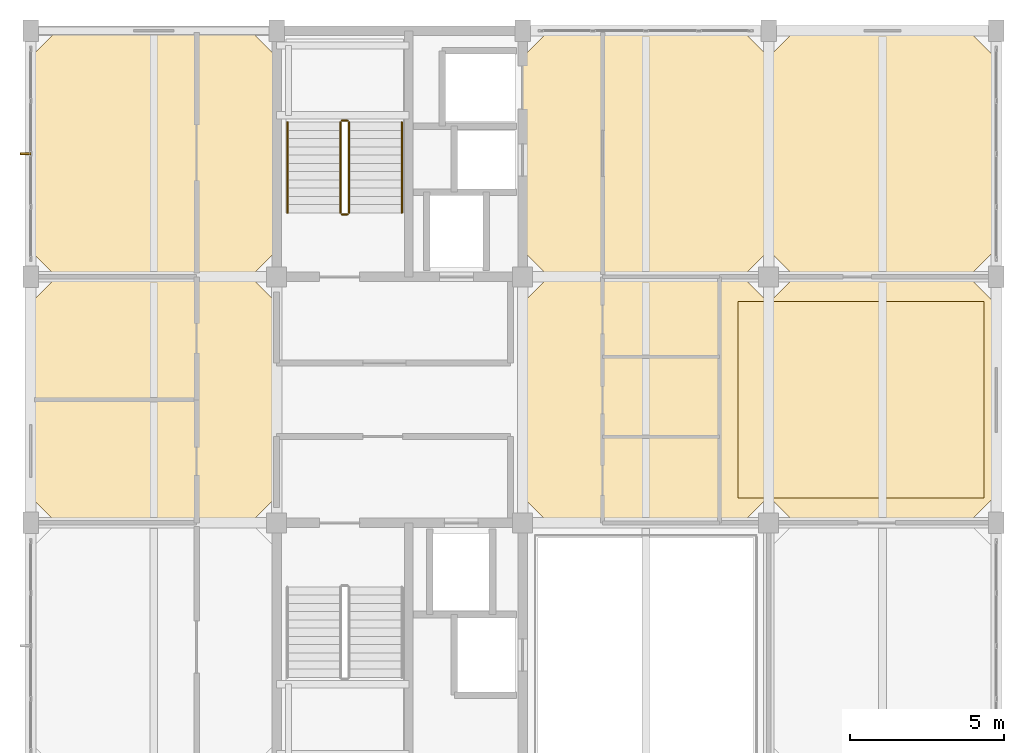
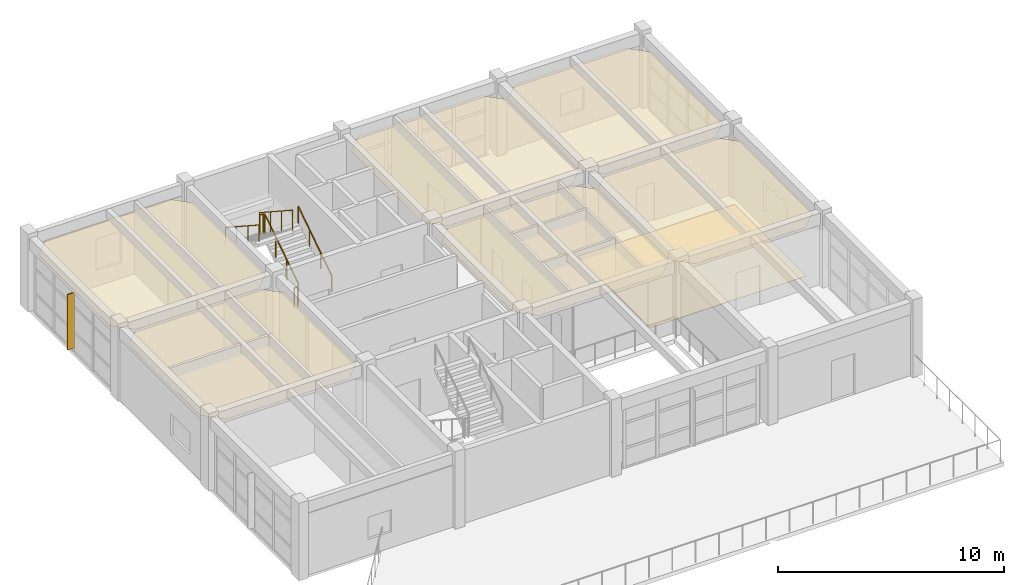
# One storey, part 20 of 20: 7 coverings, 6 railings, 1 shading device.
"""IFC4 building model written with IfcOpenShell, lengths in metres."""

from ifc_helpers import new_model, si_unit, direction, frame, origin, origin_2d, place, context, subcontext, project, spatial, polyline, rectangle, circle, outline, extrude, material, layer, layer_set, type_object, element, save


model = new_model("IFC4")

# Units and contexts
model_context = context("Model", 3, precision=1e-05, world=origin(), true_north=direction((0.0, 1.0)))
body_context = subcontext(model_context, "Body", "Model", "MODEL_VIEW")
ifc_project = project(units=[si_unit("LENGTHUNIT", "METRE"), si_unit("AREAUNIT", "SQUARE_METRE"), si_unit("VOLUMEUNIT", "CUBIC_METRE"), si_unit("PLANEANGLEUNIT", "RADIAN"), si_unit("MASSUNIT", "GRAM", prefix="KILO")], contexts=[model_context])

# Site, building, storey
site_placement = place(None, origin())
site = spatial("IfcSite", under=ifc_project, at=site_placement, CompositionType="ELEMENT")
building_placement = place(site_placement, origin())
building = spatial("IfcBuilding", under=site, at=building_placement, Name="Canggui Botanical Conservatory", CompositionType="ELEMENT")
storey_placement = place(building_placement, frame((0.0, 0.0, 57.0)))
storey = spatial("IfcBuildingStorey", under=building, at=storey_placement, Name="L14", CompositionType="ELEMENT", Elevation=57.0)

# Coverings
ifc_material_1 = material(Name="Mineral Fibre Acoustic Board")
ifc_layer_1 = layer(ifc_material_1, 0.014892578125, Name="Mineral Fibre Acoustic Board")
ifc_layer_set_1 = layer_set([ifc_layer_1], Name="Mineral Fibre Acoustic Board")
covering_type_1 = type_object("IfcCoveringType", Name="COV-CEIL-15", PredefinedType="CEILING", material=ifc_layer_set_1)
covering_1_placement = place(storey_placement, frame((0.0, 0.0, 3.294921875)))
element("IfcCovering", 1, at=covering_1_placement, inside=storey, type_object=covering_type_1, Name="Suspended Acoustic Ceiling L14-146-50", PredefinedType="CEILING", context=body_context, shape_type="SweptSolid", body=[
    extrude(outline(polyline([(146.85009765625, 50.0), (153.14990234375, 50.0), (154.0, 50.85009765625), (154.0, 57.14990234375), (153.14990234375, 58.0), (146.85009765625, 58.0), (146.0, 57.14990234375), (146.0, 50.85009765625), (146.85009765625, 50.0)])), origin(), (0.0, 0.0, 1.0), 0.01513671875),
])
covering_2_placement = place(storey_placement, frame((0.0, 0.0, 3.294921875)))
element("IfcCovering", 2, at=covering_2_placement, inside=storey, type_object=covering_type_1, Name="Suspended Acoustic Ceiling L14-162-50", PredefinedType="CEILING", context=body_context, shape_type="SweptSolid", body=[
    extrude(outline(polyline([(162.85009765625, 50.0), (169.14990234375, 50.0), (170.0, 50.85009765625), (170.0, 57.14990234375), (169.14990234375, 58.0), (162.85009765625, 58.0), (162.0, 57.14990234375), (162.0, 50.85009765625), (162.85009765625, 50.0)])), origin(), (0.0, 0.0, 1.0), 0.01513671875),
])
covering_3_placement = place(storey_placement, frame((0.0, 0.0, 3.294921875)))
element("IfcCovering", 3, at=covering_3_placement, inside=storey, type_object=covering_type_1, Name="Suspended Acoustic Ceiling L14-170-58", PredefinedType="CEILING", context=body_context, shape_type="SweptSolid", body=[
    extrude(outline(polyline([(170.85009765625, 58.0), (176.5, 58.0), (177.35009765625, 58.85009765625), (177.35009765625, 65.14990234375), (176.5, 66.0), (170.85009765625, 66.0), (170.0, 65.14990234375), (170.0, 58.85009765625), (170.85009765625, 58.0)])), origin(), (0.0, 0.0, 1.0), 0.01513671875),
])
ifc_material_2 = material(Name="Perforated Gypsum Acoustic Panel")
ifc_layer_2 = layer(ifc_material_2, 0.02001953125, Name="Perforated Gypsum Acoustic Panel")
ifc_layer_set_2 = layer_set([ifc_layer_2], Name="Perforated Gypsum Acoustic Panel")
covering_type_2 = type_object("IfcCoveringType", Name="COV-CEIL-20", PredefinedType="CEILING", material=ifc_layer_set_2)
covering_4_placement = place(storey_placement, frame((0.0, 0.0, 3.2900390625)))
element("IfcCovering", 4, at=covering_4_placement, inside=storey, type_object=covering_type_2, Name="Suspended Acoustic Ceiling L14-146-58", PredefinedType="CEILING", context=body_context, shape_type="SweptSolid", body=[
    extrude(outline(polyline([(146.85009765625, 58.0), (153.14990234375, 58.0), (154.0, 58.85009765625), (154.0, 65.14990234375), (153.14990234375, 66.0), (146.85009765625, 66.0), (146.0, 65.14990234375), (146.0, 58.85009765625), (146.85009765625, 58.0)])), origin(), (0.0, 0.0, 1.0), 0.02001953125),
])
covering_5_placement = place(storey_placement, frame((0.0, 0.0, 3.2900390625)))
element("IfcCovering", 5, at=covering_5_placement, inside=storey, type_object=covering_type_2, Name="Suspended Acoustic Ceiling L14-162-58", PredefinedType="CEILING", context=body_context, shape_type="SweptSolid", body=[
    extrude(outline(polyline([(162.85009765625, 58.0), (169.14990234375, 58.0), (170.0, 58.85009765625), (170.0, 65.14990234375), (169.14990234375, 66.0), (162.85009765625, 66.0), (162.0, 65.14990234375), (162.0, 58.85009765625), (162.85009765625, 58.0)])), origin(), (0.0, 0.0, 1.0), 0.02001953125),
])
covering_6_placement = place(storey_placement, frame((0.0, 0.0, 3.2900390625)))
element("IfcCovering", 6, at=covering_6_placement, inside=storey, type_object=covering_type_2, Name="Suspended Acoustic Ceiling L14-170-50", PredefinedType="CEILING", context=body_context, shape_type="SweptSolid", body=[
    extrude(outline(polyline([(170.85009765625, 50.0), (176.5, 50.0), (177.35009765625, 50.85009765625), (177.35009765625, 57.14990234375), (176.5, 58.0), (170.85009765625, 58.0), (170.0, 57.14990234375), (170.0, 50.85009765625), (170.85009765625, 50.0)])), origin(), (0.0, 0.0, 1.0), 0.02001953125),
])
ifc_material_3 = material(Name="Seamless Laboratory Epoxy Resin")
ifc_layer_3 = layer(ifc_material_3, 0.011962890625, Name="Seamless Laboratory Epoxy Resin")
ifc_layer_set_3 = layer_set([ifc_layer_3], Name="Seamless Laboratory Epoxy Resin")
covering_type_3 = type_object("IfcCoveringType", Name="COV-FLR-12", PredefinedType="FLOORING", material=ifc_layer_set_3)
covering_7_placement = place(storey_placement, origin())
element("IfcCovering", 7, at=covering_7_placement, inside=storey, type_object=covering_type_3, Name="Laboratory Finish Flooring L14", PredefinedType="FLOORING", context=body_context, shape_type="SweptSolid", body=[
    extrude(outline(polyline([(169.0, 50.800048828125), (177.0, 50.800048828125), (177.0, 57.199951171875), (169.0, 57.199951171875), (169.0, 50.800048828125)])), origin(), (0.0, 0.0, 1.0), 0.011962890625),
])

# Railings
ifc_material_4 = material(Name="Stainless Steel 304", Category="steel")
railing_type_1 = type_object("IfcRailingType", Name="RAIL-GUARD-1100", PredefinedType="BALUSTRADE", material=ifc_material_4)
railing_1_placement = place(storey_placement, frame((156.35009765625, 60.080078125, 0.175048828125)))
element("IfcRailing", 8, at=railing_1_placement, inside=storey, type_object=railing_type_1, Name="L14 ST-T2 stair guard 1", PredefinedType="BALUSTRADE", context=body_context, shape_type="SweptSolid", body=[
    extrude(circle(Radius=0.02392578125, at=origin_2d()), frame((0.0, 0.0, 1.076171875), z_axis=(0.0, 0.837293178872, 0.54675417933), x_axis=(-1.0, 0.0, 0.0)), (0.0, 0.0, 1.0), 3.520751953125),
    extrude(circle(Radius=0.02099609375, at=origin_2d()), origin(), (0.0, 0.0, 1.0), 1.052001953125),
    extrude(circle(Radius=0.02099609375, at=origin_2d()), frame((0.0, 0.982666015625, 0.6416015625)), (0.0, 0.0, 1.0), 1.052001953125),
    extrude(circle(Radius=0.02099609375, at=origin_2d()), frame((0.0, 1.96533203125, 1.283447265625)), (0.0, 0.0, 1.0), 1.052001953125),
    extrude(circle(Radius=0.02099609375, at=origin_2d()), frame((0.0, 2.947998046875, 1.925048828125)), (0.0, 0.0, 1.0), 1.052001953125),
])
railing_2_placement = place(storey_placement, frame((156.300048828125, 63.077880859375, 2.10009765625)))
element("IfcRailing", 9, at=railing_2_placement, inside=storey, type_object=railing_type_1, Name="L14 ST-T2 stair guard 2", PredefinedType="BALUSTRADE", context=body_context, shape_type="SweptSolid", body=[
    extrude(circle(Radius=0.02392578125, at=origin_2d()), frame((0.0, 0.0, 1.076171875), z_axis=(-1.0, 0.0, 0.0), x_axis=(0.0, -1.0, 0.0)), (0.0, 0.0, 1.0), 0.179931640625),
    extrude(circle(Radius=0.02099609375, at=origin_2d()), origin(), (0.0, 0.0, 1.0), 1.052001953125),
    extrude(circle(Radius=0.02099609375, at=origin_2d()), frame((-0.179931640625, 0.0, 0.0)), (0.0, 0.0, 1.0), 1.052001953125),
])
railing_3_placement = place(storey_placement, frame((156.070068359375, 63.028076171875, 2.27490234375)))
element("IfcRailing", 10, at=railing_3_placement, inside=storey, type_object=railing_type_1, Name="L14 ST-T2 stair guard 3", PredefinedType="BALUSTRADE", context=body_context, shape_type="SweptSolid", body=[
    extrude(circle(Radius=0.02392578125, at=origin_2d()), frame((0.0, 0.0, 1.076171875), z_axis=(0.0, -0.837293178872, 0.54675417933), x_axis=(1.0, 0.0, 0.0)), (0.0, 0.0, 1.0), 3.520751953125),
    extrude(circle(Radius=0.02099609375, at=origin_2d()), origin(), (0.0, 0.0, 1.0), 1.052001953125),
    extrude(circle(Radius=0.02099609375, at=origin_2d()), frame((0.0, -0.982666015625, 0.6416015625)), (0.0, 0.0, 1.0), 1.052001953125),
    extrude(circle(Radius=0.02099609375, at=origin_2d()), frame((0.0, -1.96533203125, 1.283447265625)), (0.0, 0.0, 1.0), 1.052001953125),
    extrude(circle(Radius=0.02099609375, at=origin_2d()), frame((0.0, -2.947998046875, 1.925048828125)), (0.0, 0.0, 1.0), 1.052001953125),
])
railing_4_placement = place(storey_placement, frame((156.300048828125, 60.030029296875, 0.0)))
element("IfcRailing", 11, at=railing_4_placement, inside=storey, type_object=railing_type_1, Name="L14 ST-T2 stair guard 4", PredefinedType="BALUSTRADE", context=body_context, shape_type="SweptSolid", body=[
    extrude(circle(Radius=0.02392578125, at=origin_2d()), frame((0.0, 0.0, 1.076171875), z_axis=(-1.0, 0.0, 0.0), x_axis=(0.0, -1.0, 0.0)), (0.0, 0.0, 1.0), 0.179931640625),
    extrude(circle(Radius=0.02099609375, at=origin_2d()), origin(), (0.0, 0.0, 1.0), 1.052001953125),
    extrude(circle(Radius=0.02099609375, at=origin_2d()), frame((-0.179931640625, 0.0, 0.0)), (0.0, 0.0, 1.0), 1.052001953125),
])
railing_type_2 = type_object("IfcRailingType", Name="RAIL-HAND-900", PredefinedType="HANDRAIL", material=ifc_material_4)
railing_5_placement = place(storey_placement, frame((158.070068359375, 60.080078125, 0.175048828125)))
element("IfcRailing", 12, at=railing_5_placement, inside=storey, type_object=railing_type_2, Name="L14 ST-T2 stair handrail 1", PredefinedType="HANDRAIL", context=body_context, shape_type="SweptSolid", body=[
    extrude(circle(Radius=0.02392578125, at=origin_2d()), frame((0.0, 0.0, 0.8759765625), z_axis=(0.0, 0.837293178872, 0.54675417933), x_axis=(-1.0, 0.0, 0.0)), (0.0, 0.0, 1.0), 3.520751953125),
    extrude(circle(Radius=0.02099609375, at=origin_2d()), origin(), (0.0, 0.0, 1.0), 0.851806640625),
    extrude(circle(Radius=0.02099609375, at=origin_2d()), frame((0.0, 0.982666015625, 0.6416015625)), (0.0, 0.0, 1.0), 0.851806640625),
    extrude(circle(Radius=0.02099609375, at=origin_2d()), frame((0.0, 1.96533203125, 1.283447265625)), (0.0, 0.0, 1.0), 0.851806640625),
    extrude(circle(Radius=0.02099609375, at=origin_2d()), frame((0.0, 2.947998046875, 1.925048828125)), (0.0, 0.0, 1.0), 0.851806640625),
])
railing_6_placement = place(storey_placement, frame((154.35009765625, 63.028076171875, 2.27490234375)))
element("IfcRailing", 13, at=railing_6_placement, inside=storey, type_object=railing_type_2, Name="L14 ST-T2 stair handrail 2", PredefinedType="HANDRAIL", context=body_context, shape_type="SweptSolid", body=[
    extrude(circle(Radius=0.02392578125, at=origin_2d()), frame((0.0, 0.0, 0.8759765625), z_axis=(0.0, -0.837293178872, 0.54675417933), x_axis=(1.0, 0.0, 0.0)), (0.0, 0.0, 1.0), 3.520751953125),
    extrude(circle(Radius=0.02099609375, at=origin_2d()), origin(), (0.0, 0.0, 1.0), 0.851806640625),
    extrude(circle(Radius=0.02099609375, at=origin_2d()), frame((0.0, -0.982666015625, 0.6416015625)), (0.0, 0.0, 1.0), 0.851806640625),
    extrude(circle(Radius=0.02099609375, at=origin_2d()), frame((0.0, -1.96533203125, 1.283447265625)), (0.0, 0.0, 1.0), 0.851806640625),
    extrude(circle(Radius=0.02099609375, at=origin_2d()), frame((0.0, -2.947998046875, 1.925048828125)), (0.0, 0.0, 1.0), 0.851806640625),
])

# Shading device
ifc_material_5 = material(Name="Anodised Aluminium", Category="aluminium")
shading_device_type = type_object("IfcShadingDeviceType", Name="SHD-FIN02", PredefinedType="AWNING", material=ifc_material_5)
shading_device_placement = place(storey_placement, frame((145.8349609375, 62.0, 0.199951171875), z_axis=(0.0, 0.0, 1.0), x_axis=(0.0, 1.0, 0.0)))
element("IfcShadingDevice", 14, at=shading_device_placement, inside=storey, type_object=shading_device_type, Name="Solar Shading Fin CW-TWR-L14-06", PredefinedType="AWNING", context=body_context, shape_type="SweptSolid", body=[
    extrude(rectangle(XDim=0.06005859375, YDim=0.360107421875, at=origin_2d()), origin(), (0.0, 0.0, 1.0), 3.0),
])

save(model, "model.ifc")
